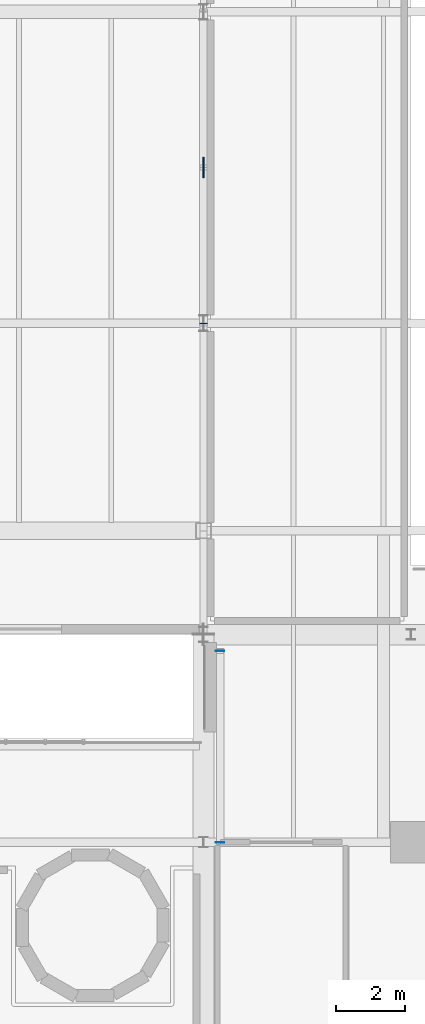
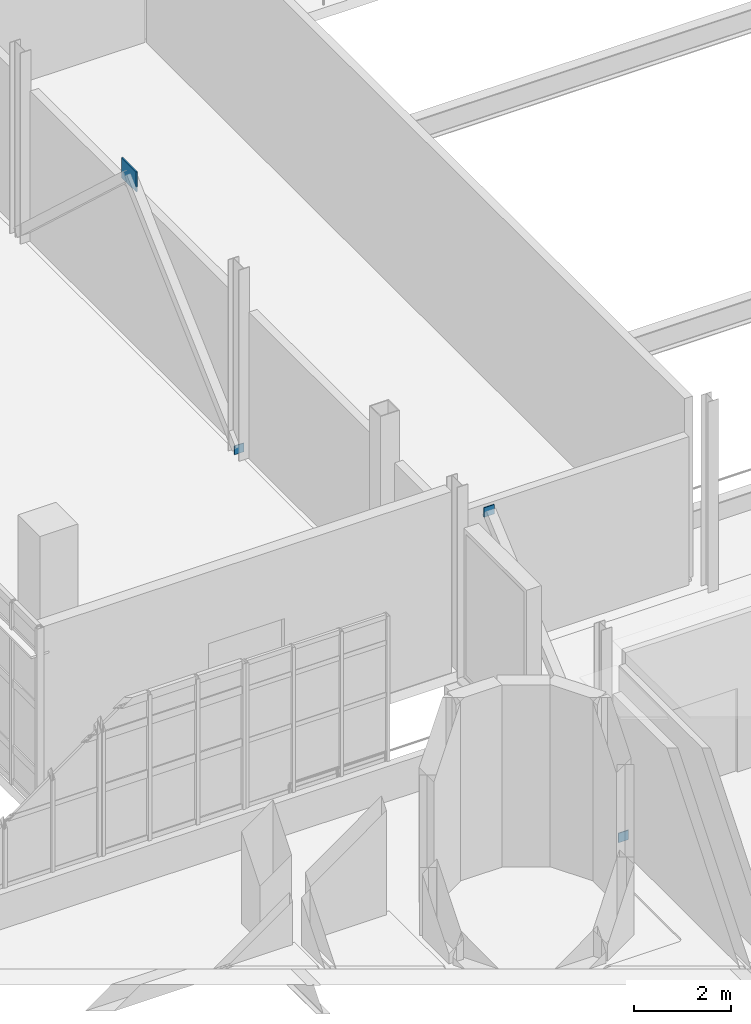
# One storey, part 82 of 102: 4 plates.
"""IFC4 building model written with IfcOpenShell, lengths in metres."""

from ifc_helpers import new_model, si_unit, derived_unit, direction, frame, origin, origin_2d, place, context, subcontext, project, spatial, rectangle, extrude, material, layer, layer_set, type_object, element, save


model = new_model("IFC4")

# Units and contexts
model_context = context("Model", 3, precision=1e-05, world=origin(), true_north=direction((0.0, 1.0)))
body_context = subcontext(model_context, "Body", "Model", "MODEL_VIEW")
ifc_project = project(units=[si_unit("LENGTHUNIT", "METRE"), si_unit("AREAUNIT", "SQUARE_METRE"), si_unit("VOLUMEUNIT", "CUBIC_METRE"), si_unit("PLANEANGLEUNIT", "RADIAN"), si_unit("MASSUNIT", "GRAM", prefix="KILO"), derived_unit("THERMALTRANSMITTANCEUNIT", [(si_unit("POWERUNIT", "WATT"), 1), (si_unit("LENGTHUNIT", "METRE"), -2), (si_unit("THERMODYNAMICTEMPERATUREUNIT", "KELVIN"), -1)])], contexts=[model_context])

# Site, building, storey
site_placement = place(None, origin())
site = spatial("IfcSite", under=ifc_project, at=site_placement, CompositionType="ELEMENT")
building_placement = place(site_placement, origin())
building = spatial("IfcBuilding", under=site, at=building_placement, Name="Nallur Shell Playhouse", CompositionType="ELEMENT")
storey_placement = place(building_placement, frame((0.0, 0.0, 15.0)))
storey = spatial("IfcBuildingStorey", under=building, at=storey_placement, Name="L04", CompositionType="ELEMENT", Elevation=15.0)

# Plates
ifc_material = material(Name="Steel E350", Category="steel")
ifc_layer_1 = layer(ifc_material, 0.02001953125)
ifc_layer_set_1 = layer_set([ifc_layer_1], Name="Steel E350")
plate_type_1 = type_object("IfcPlateType", Name="PT-ENDCAP-20", PredefinedType="SHEET", material=ifc_layer_set_1)
for number, where, z_axis, x_axis, name in (
    (1, (64.47998046875, 40.992431640625, -0.78662109375), (0.0, 0.0, 1.0), (1.0, 0.0, 0.0), "Hollow end cap EC-GBD-L04-2-A"),
    (2, (64.47998046875, 46.527587890625, 4.03662109375), (0.0, 0.0, 1.0), (1.0, 0.0, 0.0), "Hollow end cap EC-GBD-L04-2-B"),
):
    element("IfcPlate", number, at=place(storey_placement, frame(where, z_axis=z_axis, x_axis=x_axis)), inside=storey, type_object=plate_type_1, Name=name, PredefinedType="SHEET", context=body_context, shape_type="SweptSolid", body=[
        extrude(rectangle(XDim=0.239990234375, YDim=0.02001953125, at=origin_2d()), origin(), (0.0, 0.0, 1.0), 0.239990234375),
    ])
plate_1_placement = place(storey_placement, frame((64.0, 55.99267578125, 0.033203125), z_axis=(0.0, 0.0, 1.0), x_axis=(1.0, 0.0, 0.0)))
element("IfcPlate", 3, at=plate_1_placement, inside=storey, type_object=plate_type_1, Name="Hollow end cap EC-BR-FT-L04-025-0", PredefinedType="SHEET", context=body_context, shape_type="SweptSolid", body=[
    extrude(rectangle(XDim=0.219970703125, YDim=0.02001953125, at=origin_2d()), origin(), (0.0, 0.0, 1.0), 0.219970703125),
])
ifc_layer_2 = layer(ifc_material, 0.034912109375)
ifc_layer_set_2 = layer_set([ifc_layer_2], Name="Steel E350")
plate_type_2 = type_object("IfcPlateType", Name="PT-GUSSET-35", PredefinedType="USERDEFINED", material=ifc_layer_set_2)
plate_2_placement = place(storey_placement, frame((64.0, 60.5, 4.050048828125), z_axis=(0.0, 0.0, 1.0), x_axis=(1.0, 0.0, 0.0)))
element("IfcPlate", 4, at=plate_2_placement, inside=storey, type_object=plate_type_2, Name="Fly tower chevron node gusset plate TN-02 (L04)", ObjectType="GUSSET PLATE", PredefinedType="USERDEFINED", context=body_context, shape_type="SweptSolid", body=[
    extrude(rectangle(XDim=0.034912109375, YDim=0.60009765625, at=origin_2d()), origin(), (0.0, 0.0, 1.0), 0.5),
])

save(model, "model.ifc")
